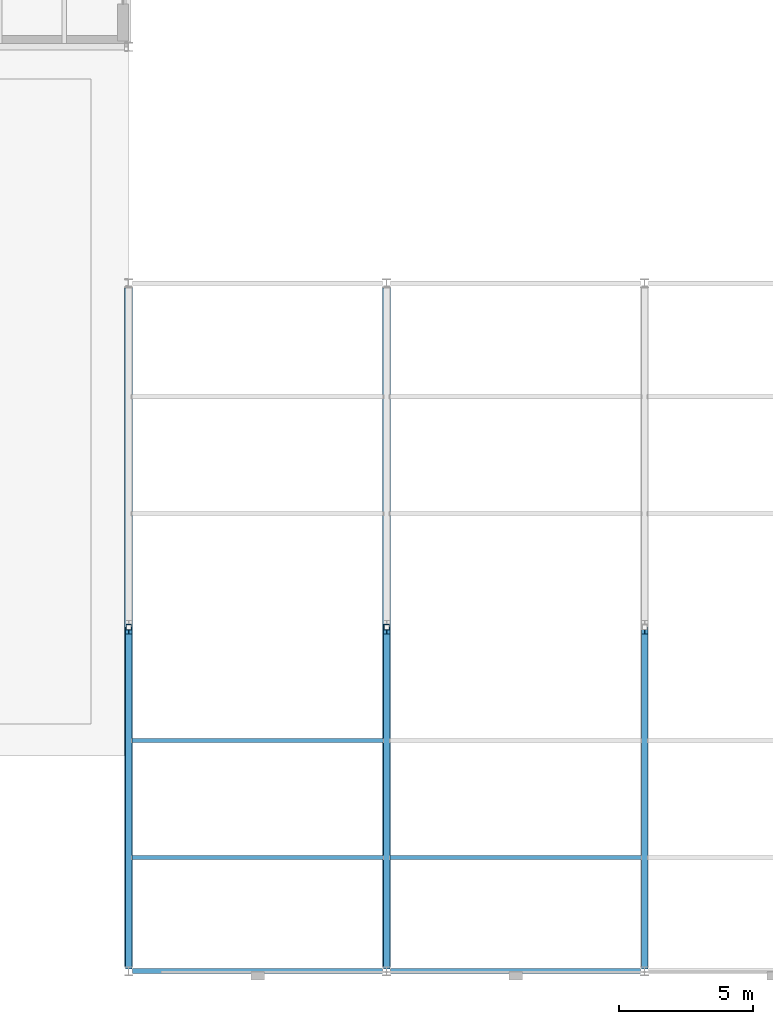
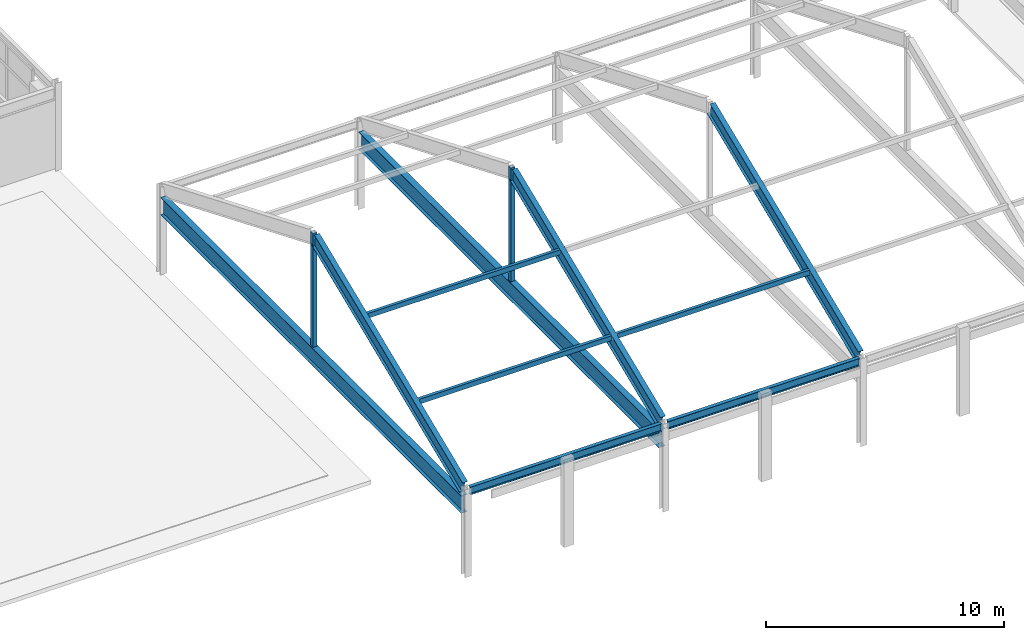
# One storey, part 16 of 88: 7 beams, 5 members.
"""IFC4 building model written with IfcOpenShell, lengths in metres."""

import ifcopenshell
import ifcopenshell.guid

model = None  # the IFC model being written
_history = None  # IfcOwnerHistory: only IFC2X3 demands one
_inside = {}  # id of a spatial element -> (the spatial element, [elements in it])
_under = {}  # id of a project, library or spatial element -> (it, [spatial elements below it])
_declared = {}  # id of a project -> (the project, [libraries it declares])
_typed = {}  # id of a type object -> (the type object, [elements of that type])
_made_of = {}  # id of a material, layer set ... -> (it, [elements and type objects made of it])


def new_model(schema):
    """Start an empty IFC model of exactly this schema.

    Asked for "IFC4X3", IfcOpenShell would pick the latest addendum, in which some entities
    have other attributes; the version numbers below select the first issue.
    IFC2X3 requires an IfcOwnerHistory on every rooted entity: one is made here for all.
    """
    global model, _history
    if schema == "IFC4X3":
        model = ifcopenshell.file(schema_version=(4, 3, 0, 0))
    else:
        model = ifcopenshell.file(schema=schema)
    _inside.clear()
    _under.clear()
    _declared.clear()
    _typed.clear()
    _made_of.clear()
    _history = None
    if model.schema == "IFC2X3":
        org = make("IfcOrganization", Name="unknown")
        user = make(
            "IfcPersonAndOrganization",
            ThePerson=make("IfcPerson", FamilyName="unknown"),
            TheOrganization=org,
        )
        app = make(
            "IfcApplication",
            ApplicationDeveloper=org,
            Version="unknown",
            ApplicationFullName="unknown",
            ApplicationIdentifier="unknown",
        )
        _history = make(
            "IfcOwnerHistory",
            OwningUser=user,
            OwningApplication=app,
            ChangeAction="ADDED",
            CreationDate=0,
        )
    return model


def make(cls, **values):
    """One entity of the class cls with the attributes given. An attribute that is None is left unset."""
    return model.create_entity(
        cls, **{name: value for name, value in values.items() if value is not None}
    )


def rooted(cls, **values):
    """An entity with a GlobalId (a new one), such as an element, a storey or a relation."""
    return make(cls, GlobalId=ifcopenshell.guid.new(), OwnerHistory=_history, **values)


def si_unit(unit_type, name, prefix=None):
    """IfcSIUnit, for example si_unit("LENGTHUNIT", "METRE", prefix="MILLI")."""
    return make("IfcSIUnit", UnitType=unit_type, Prefix=prefix, Name=name)


def assignment(units):
    """IfcUnitAssignment: the units of a project."""
    return None if units is None else make("IfcUnitAssignment", Units=units)


def point(xyz):
    """IfcCartesianPoint."""
    return None if xyz is None else make("IfcCartesianPoint", Coordinates=xyz)


def direction(xyz):
    """IfcDirection."""
    return None if xyz is None else make("IfcDirection", DirectionRatios=xyz)


def frame(location, z_axis=None, x_axis=None):
    """IfcAxis2Placement3D, a coordinate frame: its origin and axes. An axis left out is left unset."""
    return make(
        "IfcAxis2Placement3D",
        Location=point(location),
        Axis=direction(z_axis),
        RefDirection=direction(x_axis),
    )


def frame_2d(location, x_axis=None):
    """IfcAxis2Placement2D, a coordinate frame in the plane: its origin and x axis."""
    return make(
        "IfcAxis2Placement2D", Location=point(location), RefDirection=direction(x_axis)
    )


def origin():
    """The frame at (0, 0, 0) with its axes left unset."""
    return frame((0.0, 0.0, 0.0))


def origin_2d():
    """The frame at (0, 0) in the plane with its x axis left unset."""
    return frame_2d((0.0, 0.0))


def place(relative_to, where):
    """IfcLocalPlacement: puts the frame where relative to a parent placement (None: the world)."""
    return make(
        "IfcLocalPlacement", PlacementRelTo=relative_to, RelativePlacement=where
    )


def context(
    kind, dimensions, precision=None, world=None, true_north=None, identifier=None
):
    """IfcGeometricRepresentationContext, for example the 3D "Model" context."""
    return make(
        "IfcGeometricRepresentationContext",
        ContextIdentifier=identifier,
        ContextType=kind,
        CoordinateSpaceDimension=dimensions,
        Precision=precision,
        WorldCoordinateSystem=world,
        TrueNorth=true_north,
    )


def subcontext(parent, identifier, kind, view, scale=None):
    """IfcGeometricRepresentationSubContext, for example "Body" below "Model"."""
    return make(
        "IfcGeometricRepresentationSubContext",
        ContextIdentifier=identifier,
        ContextType=kind,
        ParentContext=parent,
        TargetScale=scale,
        TargetView=view,
    )


def project(units=None, contexts=None):
    """IfcProject with its units and contexts."""
    return rooted(
        "IfcProject",
        Name="project",
        RepresentationContexts=contexts,
        UnitsInContext=assignment(units),
    )


def spatial(cls, under=None, at=None, **own):
    """A site, building, storey or space (cls), placed at a placement, below another one or the project."""
    s = rooted(cls, ObjectPlacement=at, **own)
    if under is not None:
        _under.setdefault(under.id(), (under, []))[1].append(s)
    return s


def profile(cls, at=None, kind="AREA", **sizes):
    """A parametric profile (cls). Its sizes go by their IFC names, for example OverallWidth=200.0."""
    return make(cls, ProfileType=kind, Position=at, **sizes)


def hollow_rectangle(**sizes):
    """IfcRectangleHollowProfileDef."""
    return profile("IfcRectangleHollowProfileDef", **sizes)


def i_section(**sizes):
    """IfcIShapeProfileDef."""
    return profile("IfcIShapeProfileDef", **sizes)


def extrude(swept, where, along, depth):
    """IfcExtrudedAreaSolid: the profile swept, set in the frame where, extruded along a direction by depth."""
    return make(
        "IfcExtrudedAreaSolid",
        SweptArea=swept,
        Position=where,
        ExtrudedDirection=direction(along),
        Depth=depth,
    )


def shape(context_of_items, identifier, shape_type, items):
    """IfcShapeRepresentation: the items that make up one representation, for example the "Body"."""
    return make(
        "IfcShapeRepresentation",
        ContextOfItems=context_of_items,
        RepresentationIdentifier=identifier,
        RepresentationType=shape_type,
        Items=items,
    )


def material(Name=None, Category=None):
    """IfcMaterial."""
    return make("IfcMaterial", Name=Name, Category=Category)


def material_profile(
    of_material, cross_section, Name=None, Category=None, Priority=None
):
    """IfcMaterialProfile: a cross section and its material."""
    return make(
        "IfcMaterialProfile",
        Name=Name,
        Material=of_material,
        Profile=cross_section,
        Priority=Priority,
        Category=Category,
    )


def profile_set(profiles, Name=None, composite=None):
    """IfcMaterialProfileSet."""
    return make(
        "IfcMaterialProfileSet",
        Name=Name,
        MaterialProfiles=profiles,
        CompositeProfile=composite,
    )


def made_of(thing, what):
    """Note that an element or type object is made of a material, layer set ...; save() writes the relation."""
    if what is not None:
        _made_of.setdefault(what.id(), (what, []))[1].append(thing)
    return thing


def type_object(cls, material=None, **own):
    """A type object (cls), such as IfcWallType, which elements share."""
    return made_of(rooted(cls, **own), material)


def element(
    cls,
    number,
    at=None,
    inside=None,
    cuts=None,
    type_object=None,
    material=None,
    context=None,
    identifier="Body",
    shape_type=None,
    held_by="IfcProductDefinitionShape",
    body=None,
    shapes=None,
    **own,
):
    """One element of the class cls, such as IfcWall. Its Tag is "e" and its number.

    at: its placement. inside: the storey or other place that contains it. cuts: it is an
    opening in that element (IfcRelVoidsElement). A single representation is given by context,
    identifier, shape_type and body (its items); several are given by shapes. held_by: the class
    of the entity that holds the representations. save() writes the other relations.
    """
    e = rooted(cls, Tag="e%d" % number, ObjectPlacement=at, **own)
    if body is not None:
        shapes = [shape(context, identifier, shape_type, body)]
    if shapes is not None:
        e.Representation = make(held_by, Representations=shapes)
    if inside is not None:
        _inside.setdefault(inside.id(), (inside, []))[1].append(e)
    if cuts is not None:
        rooted(
            "IfcRelVoidsElement", RelatingBuildingElement=cuts, RelatedOpeningElement=e
        )
    if type_object is not None:
        _typed.setdefault(type_object.id(), (type_object, []))[1].append(e)
    return made_of(e, material)


def aggregate(whole, parts):
    """IfcRelAggregates: a whole, such as a stair, and the parts it consists of."""
    return rooted("IfcRelAggregates", RelatingObject=whole, RelatedObjects=parts)


def save(model, path):
    """Write the relations noted so far, then the file.

    IfcRelAggregates (storeys below a building ...), IfcRelContainedInSpatialStructure (elements
    in a storey), IfcRelDefinesByType, IfcRelAssociatesMaterial and IfcRelDeclares: one each for
    every whole, place, type object, material and project.
    """
    for whole, parts in _under.values():
        aggregate(whole, parts)
    for where, things in _inside.values():
        rooted(
            "IfcRelContainedInSpatialStructure",
            RelatedElements=things,
            RelatingStructure=where,
        )
    for kind, things in _typed.values():
        rooted("IfcRelDefinesByType", RelatedObjects=things, RelatingType=kind)
    for what, things in _made_of.values():
        rooted("IfcRelAssociatesMaterial", RelatedObjects=things, RelatingMaterial=what)
    for by, libraries in _declared.values():
        rooted("IfcRelDeclares", RelatingContext=by, RelatedDefinitions=libraries)
    model.write(path)


model = new_model("IFC4")

# Units and contexts
model_context = context("Model", 3, precision=1e-05, world=origin(), true_north=direction((0.0, 1.0)))
body_context = subcontext(model_context, "Body", "Model", "MODEL_VIEW")
ifc_project = project(units=[si_unit("LENGTHUNIT", "METRE"), si_unit("AREAUNIT", "SQUARE_METRE"), si_unit("VOLUMEUNIT", "CUBIC_METRE"), si_unit("PLANEANGLEUNIT", "RADIAN"), si_unit("MASSUNIT", "GRAM", prefix="KILO")], contexts=[model_context])

# Site, building, storey
site_placement = place(None, origin())
site = spatial("IfcSite", under=ifc_project, at=site_placement, CompositionType="ELEMENT")
building_placement = place(site_placement, origin())
building = spatial("IfcBuilding", under=site, at=building_placement, Name="Sarnbrook Museum", CompositionType="ELEMENT")
storey_placement = place(building_placement, frame((0.0, 0.0, 10.10009765625)))
storey = spatial("IfcBuildingStorey", under=building, at=storey_placement, Name="L02", CompositionType="ELEMENT", Elevation=10.10009765625)

# Beams
ifc_material_1 = material(Name="Structural Steel Grade 350L0 (AS/NZS 3678, fy = 340 MPa for 20 < t <= 40 mm)", Category="steel")
ifc_material_profile_1 = material_profile(ifc_material_1, i_section(OverallWidth=0.25, OverallDepth=0.699951171875, WebThickness=0.010009765625, FlangeThickness=0.01611328125, at=origin_2d()), Name="700WB130")
ifc_profile_set_1 = profile_set([ifc_material_profile_1], Name="Structural Steel Grade 350L0 (AS/NZS 3678, fy = 340 MPa for 20 < t <= 40 mm)")
beam_type_1 = type_object("IfcBeamType", Name="BM-WB700", PredefinedType="BEAM", material=ifc_profile_set_1)
for number, where, z_axis, x_axis, name in (
    (1, (42.39990234375, 5.02001953125, 4.3798828125), (0.0, 0.923590091766, 0.38338145807), (-1.0, 0.0, 0.0), "Auditorium Roof Truss South Rafter X=42.4"),
    (2, (52.0, 5.02001953125, 4.3798828125), (0.0, 0.923590091766, 0.38338145807), (-1.0, 0.0, 0.0), "Auditorium Roof Truss South Rafter X=52.0"),
    (3, (61.60009765625, 5.02001953125, 4.3798828125), (0.0, 0.923590091766, 0.38338145807), (-1.0, 0.0, 0.0), "Auditorium Roof Truss South Rafter X=61.6"),
):
    element("IfcBeam", number, at=place(storey_placement, frame(where, z_axis=z_axis, x_axis=x_axis)), inside=storey, type_object=beam_type_1, Name=name, PredefinedType="BEAM", context=body_context, shape_type="SweptSolid", body=[
        extrude(i_section(OverallWidth=0.25, OverallDepth=0.699951171875, WebThickness=0.010009765625, FlangeThickness=0.01611328125, at=origin_2d()), origin(), (0.0, 0.0, 1.0), 13.49072265625),
    ])
ifc_material_profile_2 = material_profile(ifc_material_1, i_section(OverallWidth=0.300048828125, OverallDepth=0.89990234375, WebThickness=0.011962890625, FlangeThickness=0.02001953125, at=origin_2d()), Name="900WB175")
ifc_profile_set_2 = profile_set([ifc_material_profile_2], Name="Structural Steel Grade 350L0 (AS/NZS 3678, fy = 340 MPa for 20 < t <= 40 mm)")
beam_type_2 = type_object("IfcBeamType", Name="BM-WB900", PredefinedType="BEAM", material=ifc_profile_set_2)
for number, where, z_axis, x_axis, name in (
    (4, (42.39990234375, 4.969970703125, 3.5498046875), (0.0, 1.0, 0.0), (-1.0, 0.0, 0.0), "Auditorium Roof Truss Bottom Chord X=42.4"),
    (5, (52.0, 4.969970703125, 3.5498046875), (0.0, 1.0, 0.0), (-1.0, 0.0, 0.0), "Auditorium Roof Truss Bottom Chord X=52.0"),
):
    element("IfcBeam", number, at=place(storey_placement, frame(where, z_axis=z_axis, x_axis=x_axis)), inside=storey, type_object=beam_type_2, Name=name, PredefinedType="BEAM", context=body_context, shape_type="SweptSolid", body=[
        extrude(i_section(OverallWidth=0.300048828125, OverallDepth=0.89990234375, WebThickness=0.011962890625, FlangeThickness=0.02001953125, at=origin_2d()), origin(), (0.0, 0.0, 1.0), 25.260009765625),
    ])

# Members
ifc_material_2 = material(Name="Structural Steel Hollow Section Grade C350L0 (AS/NZS 1163, fy = 350 MPa)", Category="steel")
ifc_material_profile_3 = material_profile(ifc_material_2, hollow_rectangle(XDim=0.199951171875, YDim=0.199951171875, WallThickness=0.010009765625, at=origin_2d()), Name="200x200x10.0SHS")
ifc_profile_set_3 = profile_set([ifc_material_profile_3], Name="Structural Steel Hollow Section Grade C350L0 (AS/NZS 1163, fy = 350 MPa)")
member_type_1 = type_object("IfcMemberType", Name="CH-SHS200", PredefinedType="CHORD", material=ifc_profile_set_3)
for number, where, z_axis, x_axis, name in (
    (6, (42.39990234375, 17.60009765625, 3.97998046875), (0.0, 0.0, 1.0), (1.0, 0.0, 0.0), "Auditorium Truss Kingpost X=42.4"),
    (7, (52.0, 17.60009765625, 3.97998046875), (0.0, 0.0, 1.0), (1.0, 0.0, 0.0), "Auditorium Truss Kingpost X=52.0"),
):
    element("IfcMember", number, at=place(storey_placement, frame(where, z_axis=z_axis, x_axis=x_axis)), inside=storey, type_object=member_type_1, Name=name, PredefinedType="CHORD", context=body_context, shape_type="SweptSolid", body=[
        extrude(hollow_rectangle(XDim=0.199951171875, YDim=0.199951171875, WallThickness=0.010009765625, at=origin_2d()), origin(), (0.0, 0.0, 1.0), 5.86181640625),
    ])
ifc_material_profile_4 = material_profile(ifc_material_2, hollow_rectangle(XDim=0.14990234375, YDim=0.25, WallThickness=0.009033203125, at=origin_2d()), Name="250x150x9.0RHS")
ifc_profile_set_4 = profile_set([ifc_material_profile_4], Name="Structural Steel Hollow Section Grade C350L0 (AS/NZS 1163, fy = 350 MPa)")
member_type_2 = type_object("IfcMemberType", Name="PR-RHS250", PredefinedType="PURLIN", material=ifc_profile_set_4)
for number, where, z_axis, x_axis, name in (
    (8, (42.52001953125, 9.02392578125, 6.32177734375), (1.0, 0.0, 0.0), (0.0, 1.0, 0.0), "Auditorium Roof Purlin S-1"),
    (9, (52.1201171875, 9.02392578125, 6.32177734375), (1.0, 0.0, 0.0), (0.0, 1.0, 0.0), "Auditorium Roof Purlin S-2"),
    (10, (42.52001953125, 13.3759765625, 8.080078125), (1.0, 0.0, 0.0), (0.0, 1.0, 0.0), "Auditorium Roof Purlin S-1"),
):
    element("IfcMember", number, at=place(storey_placement, frame(where, z_axis=z_axis, x_axis=x_axis)), inside=storey, type_object=member_type_2, Name=name, PredefinedType="PURLIN", context=body_context, shape_type="SweptSolid", body=[
        extrude(hollow_rectangle(XDim=0.14990234375, YDim=0.25, WallThickness=0.009033203125, at=origin_2d()), origin(), (0.0, 0.0, 1.0), 9.35986328125),
    ])

# Beams
ifc_material_3 = material(Name="Structural Steel Grade 300PLUS (AS/NZS 3679.1, fy = 280 MPa for 17 < t <= 40 mm, 300 MPa for t <= 17 mm)", Category="steel")
ifc_material_profile_5 = material_profile(ifc_material_3, i_section(OverallWidth=0.177978515625, OverallDepth=0.406005859375, WebThickness=0.0078125, FlangeThickness=0.0126953125, FilletRadius=0.011474609375, at=origin_2d()), Name="410UB59.7")
ifc_profile_set_5 = profile_set([ifc_material_profile_5], Name="Structural Steel Grade 300PLUS (AS/NZS 3679.1, fy = 280 MPa for 17 < t <= 40 mm, 300 MPa for t <= 17 mm)")
beam_type_3 = type_object("IfcBeamType", Name="SP-UB410", PredefinedType="SPANDREL", material=ifc_profile_set_5)
for number, where, z_axis, x_axis, name in (
    (11, (42.550048828125, 4.800048828125, 4.296875), (1.0, 0.0, 0.0), (0.0, 1.0, 0.0), "Auditorium Eaves Entablature Spandrel A:5-6 L02"),
    (12, (52.14990234375, 4.800048828125, 4.296875), (1.0, 0.0, 0.0), (0.0, 1.0, 0.0), "Auditorium Eaves Entablature Spandrel A:6-7 L02"),
):
    element("IfcBeam", number, at=place(storey_placement, frame(where, z_axis=z_axis, x_axis=x_axis)), inside=storey, type_object=beam_type_3, Name=name, PredefinedType="SPANDREL", context=body_context, shape_type="SweptSolid", body=[
        extrude(i_section(OverallWidth=0.177978515625, OverallDepth=0.406005859375, WebThickness=0.0078125, FlangeThickness=0.0126953125, FilletRadius=0.011474609375, at=origin_2d()), origin(), (0.0, 0.0, 1.0), 9.300048828125),
    ])

save(model, "model.ifc")
